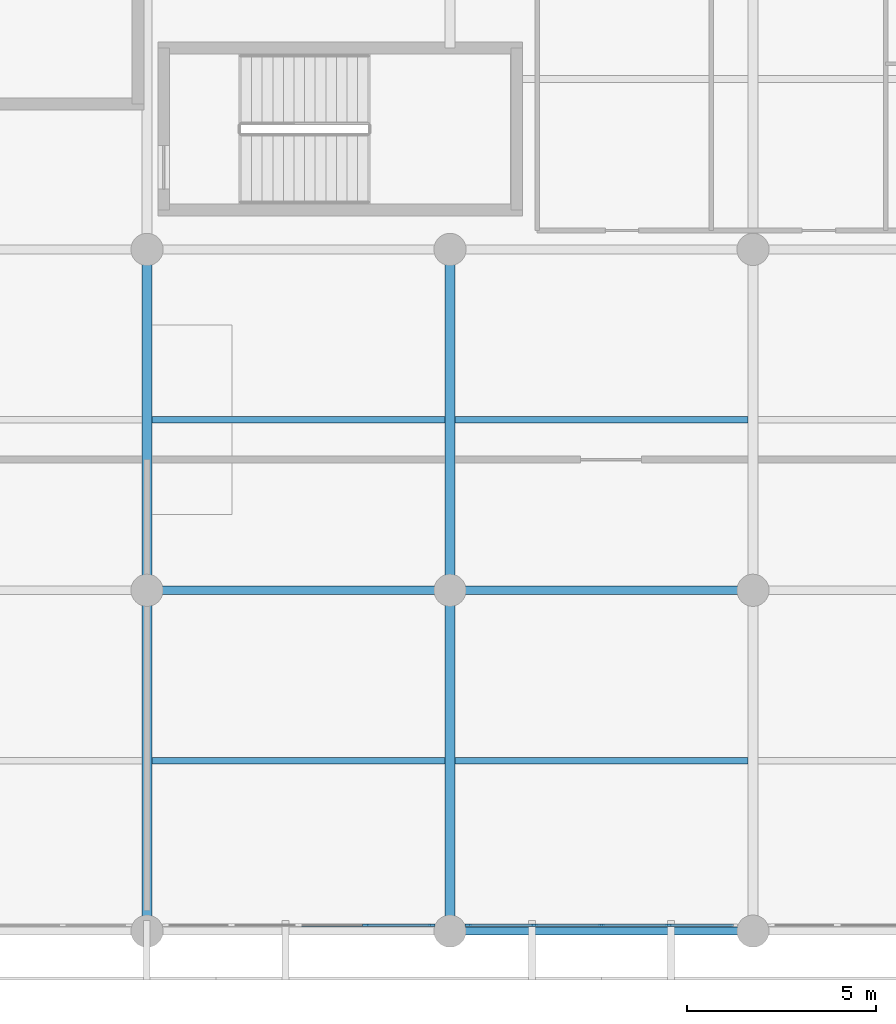
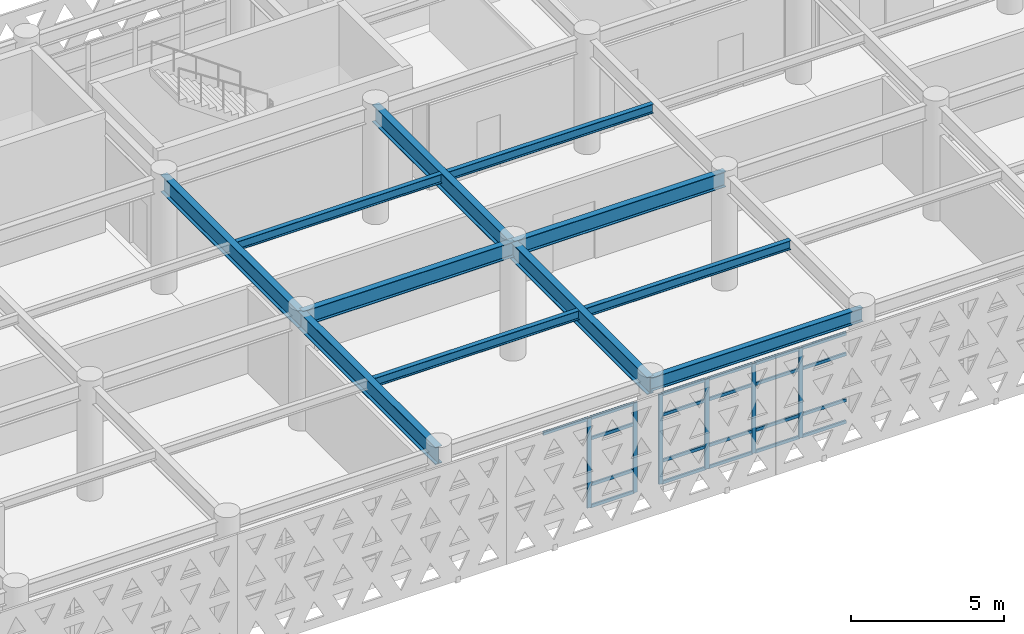
# One storey, part 12 of 54: 27 members, 11 beams, 2 elements without a shape of their own.
"""IFC4 building model written with IfcOpenShell, lengths in metres."""

from ifc_helpers import new_model, si_unit, direction, frame, origin, origin_2d, place, context, subcontext, project, spatial, rectangle, i_section, extrude, material, layer, layer_set, material_profile, profile_set, type_object, element, aggregate, save


model = new_model("IFC4")

# Units and contexts
model_context = context("Model", 3, precision=1e-05, world=origin(), true_north=direction((0.0, 1.0)))
body_context = subcontext(model_context, "Body", "Model", "MODEL_VIEW")
ifc_project = project(units=[si_unit("LENGTHUNIT", "METRE"), si_unit("AREAUNIT", "SQUARE_METRE"), si_unit("VOLUMEUNIT", "CUBIC_METRE"), si_unit("PLANEANGLEUNIT", "RADIAN"), si_unit("MASSUNIT", "GRAM", prefix="KILO")], contexts=[model_context])

# Site, building, storey
site_placement = place(None, origin())
site = spatial("IfcSite", under=ifc_project, at=site_placement, CompositionType="ELEMENT")
building_placement = place(site_placement, origin())
building = spatial("IfcBuilding", under=site, at=building_placement, Name="Tlacozan Convention Centre", CompositionType="ELEMENT")
storey_placement = place(building_placement, frame((0.0, 0.0, 11.39990234375)))
storey = spatial("IfcBuildingStorey", under=building, at=storey_placement, Name="L02", CompositionType="ELEMENT", Elevation=11.39990234375)

# Curtain wall, members
ifc_material_1 = material(Name="Dark Bronze Anodised Aluminium", Category="aluminium")
ifc_layer = layer(ifc_material_1, 0.159912109375)
ifc_layer_set = layer_set([ifc_layer], Name="Dark Bronze Anodised Aluminium")
curtain_wall_type = type_object("IfcCurtainWallType", Name="Unitised Congress L02 South CW03", PredefinedType="NOTDEFINED", material=ifc_layer_set)
curtain_wall_1_placement = place(storey_placement, origin())
curtain_wall_1 = element("IfcCurtainWall", 1, at=curtain_wall_1_placement, inside=storey, type_object=curtain_wall_type, Name="L02 CW-03 Run 84", PredefinedType="NOTDEFINED")
ifc_material_profile_1 = material_profile(ifc_material_1, rectangle(XDim=0.06494140625, YDim=0.159912109375, at=origin_2d()), Name="ALU 65x160")
ifc_profile_set_1 = profile_set([ifc_material_profile_1], Name="Dark Bronze Anodised Aluminium")
member_type_1 = type_object("IfcMemberType", Name="Curtain Wall Mullion 65x160", PredefinedType="MULLION", material=ifc_profile_set_1)
member_1_placement = place(storey_placement, frame((53.77490234375, 0.159912109375, 0.0), z_axis=(0.0, 0.0, 1.0), x_axis=(0.0, 1.0, 0.0)))
member_1 = element("IfcMember", 2, at=member_1_placement, type_object=member_type_1, Name="CW-03 mullion 4", PredefinedType="MULLION", context=body_context, shape_type="SweptSolid", body=[
    extrude(rectangle(XDim=0.06494140625, YDim=0.159912109375, at=origin_2d()), origin(), (0.0, 0.0, 1.0), 3.590087890625),
])
member_2_placement = place(storey_placement, frame((55.517578125, 0.159912109375, 0.0), z_axis=(0.0, 0.0, 1.0), x_axis=(0.0, 1.0, 0.0)))
member_2 = element("IfcMember", 3, at=member_2_placement, type_object=member_type_1, Name="CW-03 mullion 5", PredefinedType="MULLION", context=body_context, shape_type="SweptSolid", body=[
    extrude(rectangle(XDim=0.06494140625, YDim=0.159912109375, at=origin_2d()), origin(), (0.0, 0.0, 1.0), 3.590087890625),
])

curtain_wall_2_placement = place(storey_placement, origin())
curtain_wall_2 = element("IfcCurtainWall", 4, at=curtain_wall_2_placement, inside=storey, type_object=curtain_wall_type, Name="L02 CW-03 Run 85", PredefinedType="NOTDEFINED")
member_3_placement = place(storey_placement, frame((56.482421875, 0.159912109375, 0.0), z_axis=(0.0, 0.0, 1.0), x_axis=(0.0, 1.0, 0.0)))
member_3 = element("IfcMember", 5, at=member_3_placement, type_object=member_type_1, Name="CW-03 mullion 1", PredefinedType="MULLION", context=body_context, shape_type="SweptSolid", body=[
    extrude(rectangle(XDim=0.06494140625, YDim=0.159912109375, at=origin_2d()), origin(), (0.0, 0.0, 1.0), 3.590087890625),
])
member_4_placement = place(storey_placement, frame((58.22509765625, 0.159912109375, 0.0), z_axis=(0.0, 0.0, 1.0), x_axis=(0.0, 1.0, 0.0)))
member_4 = element("IfcMember", 6, at=member_4_placement, type_object=member_type_1, Name="CW-03 mullion 2", PredefinedType="MULLION", context=body_context, shape_type="SweptSolid", body=[
    extrude(rectangle(XDim=0.06494140625, YDim=0.159912109375, at=origin_2d()), origin(), (0.0, 0.0, 1.0), 3.590087890625),
])
member_5_placement = place(storey_placement, frame((60.0, 0.159912109375, 0.0), z_axis=(0.0, 0.0, 1.0), x_axis=(0.0, 1.0, 0.0)))
member_5 = element("IfcMember", 7, at=member_5_placement, type_object=member_type_1, Name="CW-03 mullion 3", PredefinedType="MULLION", context=body_context, shape_type="SweptSolid", body=[
    extrude(rectangle(XDim=0.06494140625, YDim=0.159912109375, at=origin_2d()), origin(), (0.0, 0.0, 1.0), 3.590087890625),
])
member_6_placement = place(storey_placement, frame((61.77490234375, 0.159912109375, 0.0), z_axis=(0.0, 0.0, 1.0), x_axis=(0.0, 1.0, 0.0)))
member_6 = element("IfcMember", 8, at=member_6_placement, type_object=member_type_1, Name="CW-03 mullion 4", PredefinedType="MULLION", context=body_context, shape_type="SweptSolid", body=[
    extrude(rectangle(XDim=0.06494140625, YDim=0.159912109375, at=origin_2d()), origin(), (0.0, 0.0, 1.0), 3.590087890625),
])

# Member
ifc_material_profile_2 = material_profile(ifc_material_1, rectangle(XDim=0.06494140625, YDim=0.125, at=origin_2d()), Name="ALU 65x125")
ifc_profile_set_2 = profile_set([ifc_material_profile_2], Name="Dark Bronze Anodised Aluminium")
member_type_2 = type_object("IfcMemberType", Name="Curtain Wall Transom 65x125", PredefinedType="USERDEFINED", material=ifc_profile_set_2)
member_7_placement = place(storey_placement, frame((52.032470703125, 0.159912109375, 3.5576171875), z_axis=(1.0, 0.0, 0.0), x_axis=(0.0, 1.0, 0.0)))
member_7 = element("IfcMember", 9, at=member_7_placement, type_object=member_type_2, Name="CW-03 transom 3.4", ObjectType="TRANSOM", PredefinedType="USERDEFINED", context=body_context, shape_type="SweptSolid", body=[
    extrude(rectangle(XDim=0.06494140625, YDim=0.125, at=origin_2d()), origin(), (0.0, 0.0, 1.0), 1.7099609375),
])

member_8_placement = place(storey_placement, frame((53.8076171875, 0.159912109375, 0.03271484375), z_axis=(1.0, 0.0, 0.0), x_axis=(0.0, 1.0, 0.0)))
member_8 = element("IfcMember", 10, at=member_8_placement, type_object=member_type_2, Name="CW-03 transom 4.1", ObjectType="TRANSOM", PredefinedType="USERDEFINED", context=body_context, shape_type="SweptSolid", body=[
    extrude(rectangle(XDim=0.06494140625, YDim=0.125, at=origin_2d()), origin(), (0.0, 0.0, 1.0), 1.677490234375),
])

member_9_placement = place(storey_placement, frame((53.8076171875, 0.159912109375, 0.900146484375), z_axis=(1.0, 0.0, 0.0), x_axis=(0.0, 1.0, 0.0)))
member_9 = element("IfcMember", 11, at=member_9_placement, type_object=member_type_2, Name="CW-03 transom 4.2", ObjectType="TRANSOM", PredefinedType="USERDEFINED", context=body_context, shape_type="SweptSolid", body=[
    extrude(rectangle(XDim=0.06494140625, YDim=0.125, at=origin_2d()), origin(), (0.0, 0.0, 1.0), 1.677490234375),
])

member_10_placement = place(storey_placement, frame((53.8076171875, 0.159912109375, 2.739990234375), z_axis=(1.0, 0.0, 0.0), x_axis=(0.0, 1.0, 0.0)))
member_10 = element("IfcMember", 12, at=member_10_placement, type_object=member_type_2, Name="CW-03 transom 4.3", ObjectType="TRANSOM", PredefinedType="USERDEFINED", context=body_context, shape_type="SweptSolid", body=[
    extrude(rectangle(XDim=0.06494140625, YDim=0.125, at=origin_2d()), origin(), (0.0, 0.0, 1.0), 1.677490234375),
])

member_11_placement = place(storey_placement, frame((53.8076171875, 0.159912109375, 3.5576171875), z_axis=(1.0, 0.0, 0.0), x_axis=(0.0, 1.0, 0.0)))
member_11 = element("IfcMember", 13, at=member_11_placement, type_object=member_type_2, Name="CW-03 transom 4.4", ObjectType="TRANSOM", PredefinedType="USERDEFINED", context=body_context, shape_type="SweptSolid", body=[
    extrude(rectangle(XDim=0.06494140625, YDim=0.125, at=origin_2d()), origin(), (0.0, 0.0, 1.0), 1.677490234375),
])

aggregate(curtain_wall_1, [member_1, member_2, member_7, member_8, member_9, member_10, member_11])

member_12_placement = place(storey_placement, frame((56.514892578125, 0.159912109375, 0.03271484375), z_axis=(1.0, 0.0, 0.0), x_axis=(0.0, 1.0, 0.0)))
member_12 = element("IfcMember", 14, at=member_12_placement, type_object=member_type_2, Name="CW-03 transom 1.1", ObjectType="TRANSOM", PredefinedType="USERDEFINED", context=body_context, shape_type="SweptSolid", body=[
    extrude(rectangle(XDim=0.06494140625, YDim=0.125, at=origin_2d()), origin(), (0.0, 0.0, 1.0), 1.677490234375),
])

member_13_placement = place(storey_placement, frame((56.514892578125, 0.159912109375, 0.900146484375), z_axis=(1.0, 0.0, 0.0), x_axis=(0.0, 1.0, 0.0)))
member_13 = element("IfcMember", 15, at=member_13_placement, type_object=member_type_2, Name="CW-03 transom 1.2", ObjectType="TRANSOM", PredefinedType="USERDEFINED", context=body_context, shape_type="SweptSolid", body=[
    extrude(rectangle(XDim=0.06494140625, YDim=0.125, at=origin_2d()), origin(), (0.0, 0.0, 1.0), 1.677490234375),
])

member_14_placement = place(storey_placement, frame((56.514892578125, 0.159912109375, 2.739990234375), z_axis=(1.0, 0.0, 0.0), x_axis=(0.0, 1.0, 0.0)))
member_14 = element("IfcMember", 16, at=member_14_placement, type_object=member_type_2, Name="CW-03 transom 1.3", ObjectType="TRANSOM", PredefinedType="USERDEFINED", context=body_context, shape_type="SweptSolid", body=[
    extrude(rectangle(XDim=0.06494140625, YDim=0.125, at=origin_2d()), origin(), (0.0, 0.0, 1.0), 1.677490234375),
])

member_15_placement = place(storey_placement, frame((56.514892578125, 0.159912109375, 3.5576171875), z_axis=(1.0, 0.0, 0.0), x_axis=(0.0, 1.0, 0.0)))
member_15 = element("IfcMember", 17, at=member_15_placement, type_object=member_type_2, Name="CW-03 transom 1.4", ObjectType="TRANSOM", PredefinedType="USERDEFINED", context=body_context, shape_type="SweptSolid", body=[
    extrude(rectangle(XDim=0.06494140625, YDim=0.125, at=origin_2d()), origin(), (0.0, 0.0, 1.0), 1.677490234375),
])

member_16_placement = place(storey_placement, frame((58.257568359375, 0.159912109375, 0.03271484375), z_axis=(1.0, 0.0, 0.0), x_axis=(0.0, 1.0, 0.0)))
member_16 = element("IfcMember", 18, at=member_16_placement, type_object=member_type_2, Name="CW-03 transom 2.1", ObjectType="TRANSOM", PredefinedType="USERDEFINED", context=body_context, shape_type="SweptSolid", body=[
    extrude(rectangle(XDim=0.06494140625, YDim=0.125, at=origin_2d()), origin(), (0.0, 0.0, 1.0), 1.7099609375),
])

member_17_placement = place(storey_placement, frame((58.257568359375, 0.159912109375, 0.900146484375), z_axis=(1.0, 0.0, 0.0), x_axis=(0.0, 1.0, 0.0)))
member_17 = element("IfcMember", 19, at=member_17_placement, type_object=member_type_2, Name="CW-03 transom 2.2", ObjectType="TRANSOM", PredefinedType="USERDEFINED", context=body_context, shape_type="SweptSolid", body=[
    extrude(rectangle(XDim=0.06494140625, YDim=0.125, at=origin_2d()), origin(), (0.0, 0.0, 1.0), 1.7099609375),
])

member_18_placement = place(storey_placement, frame((58.257568359375, 0.159912109375, 2.739990234375), z_axis=(1.0, 0.0, 0.0), x_axis=(0.0, 1.0, 0.0)))
member_18 = element("IfcMember", 20, at=member_18_placement, type_object=member_type_2, Name="CW-03 transom 2.3", ObjectType="TRANSOM", PredefinedType="USERDEFINED", context=body_context, shape_type="SweptSolid", body=[
    extrude(rectangle(XDim=0.06494140625, YDim=0.125, at=origin_2d()), origin(), (0.0, 0.0, 1.0), 1.7099609375),
])

member_19_placement = place(storey_placement, frame((58.257568359375, 0.159912109375, 3.5576171875), z_axis=(1.0, 0.0, 0.0), x_axis=(0.0, 1.0, 0.0)))
member_19 = element("IfcMember", 21, at=member_19_placement, type_object=member_type_2, Name="CW-03 transom 2.4", ObjectType="TRANSOM", PredefinedType="USERDEFINED", context=body_context, shape_type="SweptSolid", body=[
    extrude(rectangle(XDim=0.06494140625, YDim=0.125, at=origin_2d()), origin(), (0.0, 0.0, 1.0), 1.7099609375),
])

member_20_placement = place(storey_placement, frame((60.032470703125, 0.159912109375, 0.03271484375), z_axis=(1.0, 0.0, 0.0), x_axis=(0.0, 1.0, 0.0)))
member_20 = element("IfcMember", 22, at=member_20_placement, type_object=member_type_2, Name="CW-03 transom 3.1", ObjectType="TRANSOM", PredefinedType="USERDEFINED", context=body_context, shape_type="SweptSolid", body=[
    extrude(rectangle(XDim=0.06494140625, YDim=0.125, at=origin_2d()), origin(), (0.0, 0.0, 1.0), 1.7099609375),
])

member_21_placement = place(storey_placement, frame((60.032470703125, 0.159912109375, 0.900146484375), z_axis=(1.0, 0.0, 0.0), x_axis=(0.0, 1.0, 0.0)))
member_21 = element("IfcMember", 23, at=member_21_placement, type_object=member_type_2, Name="CW-03 transom 3.2", ObjectType="TRANSOM", PredefinedType="USERDEFINED", context=body_context, shape_type="SweptSolid", body=[
    extrude(rectangle(XDim=0.06494140625, YDim=0.125, at=origin_2d()), origin(), (0.0, 0.0, 1.0), 1.7099609375),
])

member_22_placement = place(storey_placement, frame((60.032470703125, 0.159912109375, 2.739990234375), z_axis=(1.0, 0.0, 0.0), x_axis=(0.0, 1.0, 0.0)))
member_22 = element("IfcMember", 24, at=member_22_placement, type_object=member_type_2, Name="CW-03 transom 3.3", ObjectType="TRANSOM", PredefinedType="USERDEFINED", context=body_context, shape_type="SweptSolid", body=[
    extrude(rectangle(XDim=0.06494140625, YDim=0.125, at=origin_2d()), origin(), (0.0, 0.0, 1.0), 1.7099609375),
])

member_23_placement = place(storey_placement, frame((60.032470703125, 0.159912109375, 3.5576171875), z_axis=(1.0, 0.0, 0.0), x_axis=(0.0, 1.0, 0.0)))
member_23 = element("IfcMember", 25, at=member_23_placement, type_object=member_type_2, Name="CW-03 transom 3.4", ObjectType="TRANSOM", PredefinedType="USERDEFINED", context=body_context, shape_type="SweptSolid", body=[
    extrude(rectangle(XDim=0.06494140625, YDim=0.125, at=origin_2d()), origin(), (0.0, 0.0, 1.0), 1.7099609375),
])

member_24_placement = place(storey_placement, frame((61.8076171875, 0.159912109375, 0.03271484375), z_axis=(1.0, 0.0, 0.0), x_axis=(0.0, 1.0, 0.0)))
member_24 = element("IfcMember", 26, at=member_24_placement, type_object=member_type_2, Name="CW-03 transom 4.1", ObjectType="TRANSOM", PredefinedType="USERDEFINED", context=body_context, shape_type="SweptSolid", body=[
    extrude(rectangle(XDim=0.06494140625, YDim=0.125, at=origin_2d()), origin(), (0.0, 0.0, 1.0), 1.677490234375),
])

member_25_placement = place(storey_placement, frame((61.8076171875, 0.159912109375, 0.900146484375), z_axis=(1.0, 0.0, 0.0), x_axis=(0.0, 1.0, 0.0)))
member_25 = element("IfcMember", 27, at=member_25_placement, type_object=member_type_2, Name="CW-03 transom 4.2", ObjectType="TRANSOM", PredefinedType="USERDEFINED", context=body_context, shape_type="SweptSolid", body=[
    extrude(rectangle(XDim=0.06494140625, YDim=0.125, at=origin_2d()), origin(), (0.0, 0.0, 1.0), 1.677490234375),
])

member_26_placement = place(storey_placement, frame((61.8076171875, 0.159912109375, 2.739990234375), z_axis=(1.0, 0.0, 0.0), x_axis=(0.0, 1.0, 0.0)))
member_26 = element("IfcMember", 28, at=member_26_placement, type_object=member_type_2, Name="CW-03 transom 4.3", ObjectType="TRANSOM", PredefinedType="USERDEFINED", context=body_context, shape_type="SweptSolid", body=[
    extrude(rectangle(XDim=0.06494140625, YDim=0.125, at=origin_2d()), origin(), (0.0, 0.0, 1.0), 1.677490234375),
])

member_27_placement = place(storey_placement, frame((61.8076171875, 0.159912109375, 3.5576171875), z_axis=(1.0, 0.0, 0.0), x_axis=(0.0, 1.0, 0.0)))
member_27 = element("IfcMember", 29, at=member_27_placement, type_object=member_type_2, Name="CW-03 transom 4.4", ObjectType="TRANSOM", PredefinedType="USERDEFINED", context=body_context, shape_type="SweptSolid", body=[
    extrude(rectangle(XDim=0.06494140625, YDim=0.125, at=origin_2d()), origin(), (0.0, 0.0, 1.0), 1.677490234375),
])

aggregate(curtain_wall_2, [member_3, member_4, member_5, member_6, member_12, member_13, member_14, member_15, member_16, member_17, member_18, member_19, member_20, member_21, member_22, member_23, member_24, member_25, member_26, member_27])

# Beams
ifc_material_2 = material(Name="Steel ASTM A992 Grade 50", Category="steel")
ifc_material_profile_3 = material_profile(ifc_material_2, i_section(OverallWidth=0.22900390625, OverallDepth=0.612060546875, WebThickness=0.011962890625, FlangeThickness=0.01953125, FilletRadius=0.012939453125, at=origin_2d()), Name="IR 610x125.0")
ifc_profile_set_3 = profile_set([ifc_material_profile_3], Name="Steel ASTM A992 Grade 50")
beam_type_1 = type_object("IfcBeamType", Name="Floor Beam IR 610x125", PredefinedType="BEAM", material=ifc_profile_set_3)
for number, where, z_axis, x_axis, name in (
    (30, (48.0, 9.0, 4.244140625), (1.0, 0.0, 0.0), (0.0, 1.0, 0.0), "L02 Floor Beam IR 610x125 477"),
    (31, (56.0, 9.0, 4.244140625), (1.0, 0.0, 0.0), (0.0, 1.0, 0.0), "L02 Floor Beam IR 610x125 481"),
):
    element("IfcBeam", number, at=place(storey_placement, frame(where, z_axis=z_axis, x_axis=x_axis)), inside=storey, type_object=beam_type_1, Name=name, PredefinedType="BEAM", context=body_context, shape_type="SweptSolid", body=[
        extrude(i_section(OverallWidth=0.22900390625, OverallDepth=0.612060546875, WebThickness=0.011962890625, FlangeThickness=0.01953125, FilletRadius=0.012939453125, at=origin_2d()), origin(), (0.0, 0.0, 1.0), 8.0),
    ])
ifc_material_profile_4 = material_profile(ifc_material_2, i_section(OverallWidth=0.256103515625, OverallDepth=0.693115234375, WebThickness=0.014404296875, FlangeThickness=0.023681640625, FilletRadius=0.014892578125, at=origin_2d()), Name="IR 686x170.0")
ifc_profile_set_4 = profile_set([ifc_material_profile_4], Name="Steel ASTM A992 Grade 50")
beam_type_2 = type_object("IfcBeamType", Name="Girder Steel IR 686x170", PredefinedType="BEAM", material=ifc_profile_set_4)
for number, where, z_axis, x_axis, name in (
    (32, (48.0, 0.0, 4.20361328125), (0.0, 1.0, 0.0), (-1.0, 0.0, 0.0), "L02 Girder Steel IR 686x170 415"),
    (33, (48.0, 9.0, 4.20361328125), (0.0, 1.0, 0.0), (-1.0, 0.0, 0.0), "L02 Girder Steel IR 686x170 416"),
    (34, (56.0, 0.0, 4.20361328125), (0.0, 1.0, 0.0), (-1.0, 0.0, 0.0), "L02 Girder Steel IR 686x170 418"),
    (35, (56.0, 9.0, 4.20361328125), (0.0, 1.0, 0.0), (-1.0, 0.0, 0.0), "L02 Girder Steel IR 686x170 419"),
):
    element("IfcBeam", number, at=place(storey_placement, frame(where, z_axis=z_axis, x_axis=x_axis)), inside=storey, type_object=beam_type_2, Name=name, PredefinedType="BEAM", context=body_context, shape_type="SweptSolid", body=[
        extrude(i_section(OverallWidth=0.256103515625, OverallDepth=0.693115234375, WebThickness=0.014404296875, FlangeThickness=0.023681640625, FilletRadius=0.014892578125, at=origin_2d()), origin(), (0.0, 0.0, 1.0), 9.0),
    ])
ifc_material_profile_5 = material_profile(ifc_material_2, i_section(OverallWidth=0.2109375, OverallDepth=0.5390625, WebThickness=0.01171875, FlangeThickness=0.018798828125, FilletRadius=0.012939453125, at=origin_2d()), Name="IR 533x109.0")
ifc_profile_set_5 = profile_set([ifc_material_profile_5], Name="Steel ASTM A992 Grade 50")
beam_type_3 = type_object("IfcBeamType", Name="Perimeter Spandrel IR 533x109", PredefinedType="SPANDREL", material=ifc_profile_set_5)
beam_placement = place(storey_placement, frame((56.0, 0.0, 4.280517578125), z_axis=(1.0, 0.0, 0.0), x_axis=(0.0, 1.0, 0.0)))
element("IfcBeam", 36, at=beam_placement, inside=storey, type_object=beam_type_3, Name="L02 Perimeter Spandrel IR 533x109 480", PredefinedType="SPANDREL", context=body_context, shape_type="SweptSolid", body=[
    extrude(i_section(OverallWidth=0.2109375, OverallDepth=0.5390625, WebThickness=0.01171875, FlangeThickness=0.018798828125, FilletRadius=0.012939453125, at=origin_2d()), origin(), (0.0, 0.0, 1.0), 8.0),
])
ifc_material_profile_6 = material_profile(ifc_material_2, i_section(OverallWidth=0.173095703125, OverallDepth=0.364013671875, WebThickness=0.009033203125, FlangeThickness=0.015625, FilletRadius=0.010009765625, at=origin_2d()), Name="IR 356x67.1")
ifc_profile_set_6 = profile_set([ifc_material_profile_6], Name="Steel ASTM A992 Grade 50")
beam_type_4 = type_object("IfcBeamType", Name="Secondary Joist IR 356x67.1", PredefinedType="JOIST", material=ifc_profile_set_6)
for number, where, z_axis, x_axis, name in (
    (37, (48.1259765625, 4.5, 4.3681640625), (1.0, 0.0, 0.0), (0.0, 1.0, 0.0), "L02 Secondary Joist IR 356x67.1 514"),
    (38, (48.1259765625, 13.5, 4.3681640625), (1.0, 0.0, 0.0), (0.0, 1.0, 0.0), "L02 Secondary Joist IR 356x67.1 515"),
    (39, (56.1259765625, 4.5, 4.3681640625), (1.0, 0.0, 0.0), (0.0, 1.0, 0.0), "L02 Secondary Joist IR 356x67.1 516"),
    (40, (56.1259765625, 13.5, 4.3681640625), (1.0, 0.0, 0.0), (0.0, 1.0, 0.0), "L02 Secondary Joist IR 356x67.1 517"),
):
    element("IfcBeam", number, at=place(storey_placement, frame(where, z_axis=z_axis, x_axis=x_axis)), inside=storey, type_object=beam_type_4, Name=name, PredefinedType="JOIST", context=body_context, shape_type="SweptSolid", body=[
        extrude(i_section(OverallWidth=0.173095703125, OverallDepth=0.364013671875, WebThickness=0.009033203125, FlangeThickness=0.015625, FilletRadius=0.010009765625, at=origin_2d()), origin(), (0.0, 0.0, 1.0), 7.748046875),
    ])

save(model, "model.ifc")
